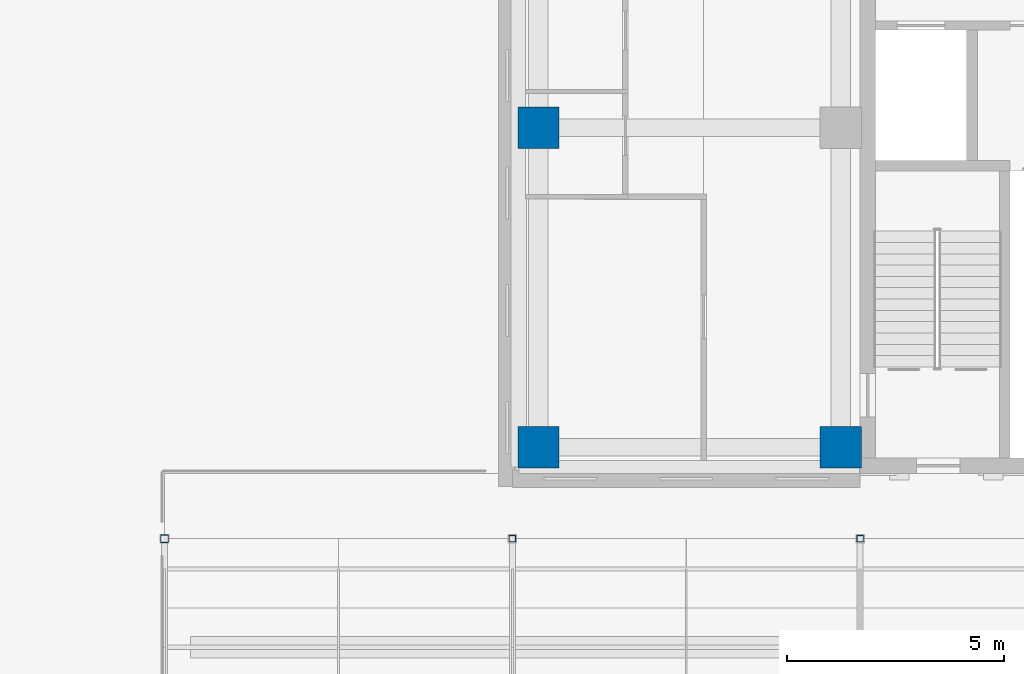
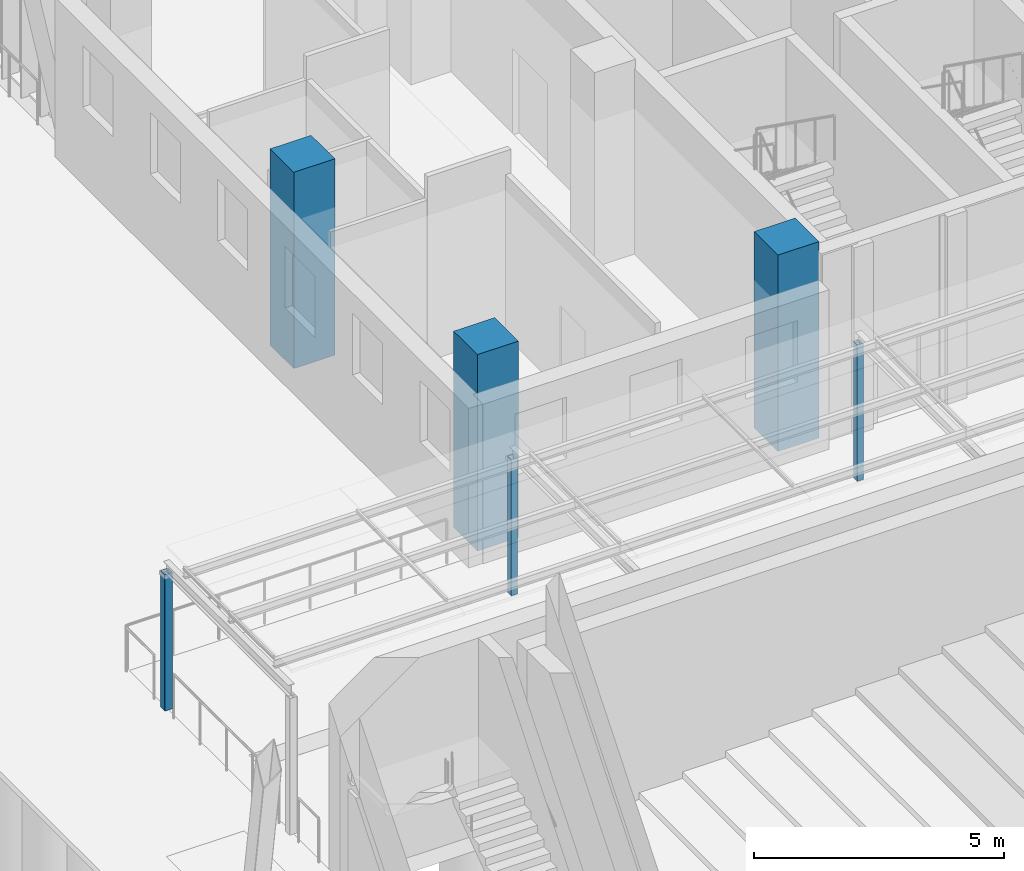
# One storey, part 7 of 144: 6 columns.
"""IFC4 building model written with IfcOpenShell, lengths in metres."""

from ifc_helpers import new_model, si_unit, direction, frame, origin, origin_2d, place, context, subcontext, project, spatial, rectangle, hollow_rectangle, extrude, material, material_profile, profile_set, type_object, element, save


model = new_model("IFC4")

# Units and contexts
model_context = context("Model", 3, precision=1e-05, world=origin(), true_north=direction((0.0, 1.0)))
body_context = subcontext(model_context, "Body", "Model", "MODEL_VIEW")
ifc_project = project(units=[si_unit("LENGTHUNIT", "METRE"), si_unit("AREAUNIT", "SQUARE_METRE"), si_unit("VOLUMEUNIT", "CUBIC_METRE"), si_unit("PLANEANGLEUNIT", "RADIAN"), si_unit("MASSUNIT", "GRAM", prefix="KILO")], contexts=[model_context])

# Site, building, storey
site_placement = place(None, origin())
site = spatial("IfcSite", under=ifc_project, at=site_placement, CompositionType="ELEMENT")
building_placement = place(site_placement, origin())
building = spatial("IfcBuilding", under=site, at=building_placement, Name="Lantern Court Media Centre", CompositionType="ELEMENT")
storey_placement = place(building_placement, origin())
storey = spatial("IfcBuildingStorey", under=building, at=storey_placement, Name="L00", CompositionType="ELEMENT", Elevation=0.0)

# Columns
ifc_material_1 = material(Name="Steel S355J2 (EN 10025-2)", Category="steel")
ifc_material_profile_1 = material_profile(ifc_material_1, hollow_rectangle(XDim=0.179931640625, YDim=0.179931640625, WallThickness=0.008056640625, InnerFilletRadius=0.008056640625, OuterFilletRadius=0.011962890625, at=origin_2d()), Name="Cloister canopy end post SHS 180x8")
ifc_profile_set_1 = profile_set([ifc_material_profile_1], Name="Steel S355J2 (EN 10025-2)")
column_type_1 = type_object("IfcColumnType", Name="Cloister canopy end post SHS 180x8", PredefinedType="COLUMN", material=ifc_profile_set_1)
column_placement = place(storey_placement, frame((0.0, 46.5, 0.0), z_axis=(0.0, 0.0, 1.0), x_axis=(1.0, 0.0, 0.0)))
element("IfcColumn", 1, at=column_placement, inside=storey, type_object=column_type_1, Name="Cloister post 1-1-2", PredefinedType="COLUMN", context=body_context, shape_type="SweptSolid", body=[
    extrude(hollow_rectangle(XDim=0.179931640625, YDim=0.179931640625, WallThickness=0.008056640625, InnerFilletRadius=0.008056640625, OuterFilletRadius=0.011962890625, at=origin_2d()), origin(), (0.0, 0.0, 1.0), 3.330078125),
])
ifc_material_profile_2 = material_profile(ifc_material_1, hollow_rectangle(XDim=0.14990234375, YDim=0.14990234375, WallThickness=0.00634765625, InnerFilletRadius=0.00634765625, OuterFilletRadius=0.009521484375, at=origin_2d()), Name="Cloister canopy post SHS 150x6.3")
ifc_profile_set_2 = profile_set([ifc_material_profile_2], Name="Steel S355J2 (EN 10025-2)")
column_type_2 = type_object("IfcColumnType", Name="Cloister canopy post SHS 150x6.3", PredefinedType="COLUMN", material=ifc_profile_set_2)
for number, where, z_axis, x_axis, name in (
    (2, (8.0, 46.5, 0.0), (0.0, 0.0, 1.0), (1.0, 0.0, 0.0), "Cloister post 1-2-2"),
    (3, (16.0, 46.5, 0.0), (0.0, 0.0, 1.0), (1.0, 0.0, 0.0), "Cloister post 1-3-2"),
):
    element("IfcColumn", number, at=place(storey_placement, frame(where, z_axis=z_axis, x_axis=x_axis)), inside=storey, type_object=column_type_2, Name=name, PredefinedType="COLUMN", context=body_context, shape_type="SweptSolid", body=[
        extrude(hollow_rectangle(XDim=0.14990234375, YDim=0.14990234375, WallThickness=0.00634765625, InnerFilletRadius=0.00634765625, OuterFilletRadius=0.009521484375, at=origin_2d()), origin(), (0.0, 0.0, 1.0), 3.330078125),
    ])
ifc_material_2 = material(Name="Concrete C35", Category="concrete")
ifc_material_profile_3 = material_profile(ifc_material_2, rectangle(XDim=0.949951171875, YDim=0.949951171875, at=origin_2d()), Name="RC 950x950")
ifc_profile_set_3 = profile_set([ifc_material_profile_3], Name="Concrete C35")
column_type_3 = type_object("IfcColumnType", Name="RC COLUMN 950x950", PredefinedType="COLUMN", material=ifc_profile_set_3)
for number, where, z_axis, x_axis, name in (
    (4, (8.60009765625, 48.60009765625, 0.0), (0.0, 0.0, 1.0), (1.0, 0.0, 0.0), "C-SW-0-L00"),
    (5, (8.60009765625, 55.949951171875, 0.0), (0.0, 0.0, 1.0), (1.0, 0.0, 0.0), "C-SW-1-L00"),
    (6, (15.550048828125, 48.60009765625, 0.0), (0.0, 0.0, 1.0), (1.0, 0.0, 0.0), "C-SW-3-L00"),
):
    element("IfcColumn", number, at=place(storey_placement, frame(where, z_axis=z_axis, x_axis=x_axis)), inside=storey, type_object=column_type_3, Name=name, PredefinedType="COLUMN", context=body_context, shape_type="SweptSolid", body=[
        extrude(rectangle(XDim=0.949951171875, YDim=0.949951171875, at=origin_2d()), origin(), (0.0, 0.0, 1.0), 4.800048828125),
    ])

save(model, "model.ifc")
